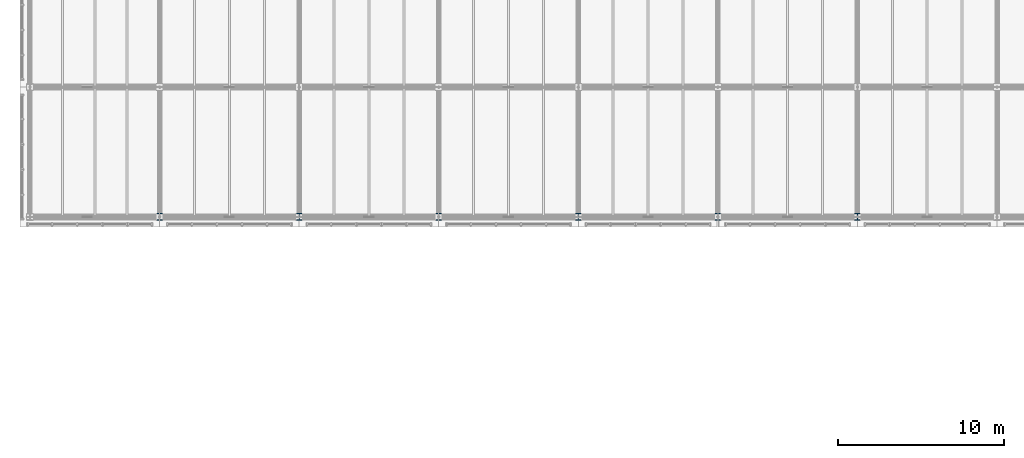
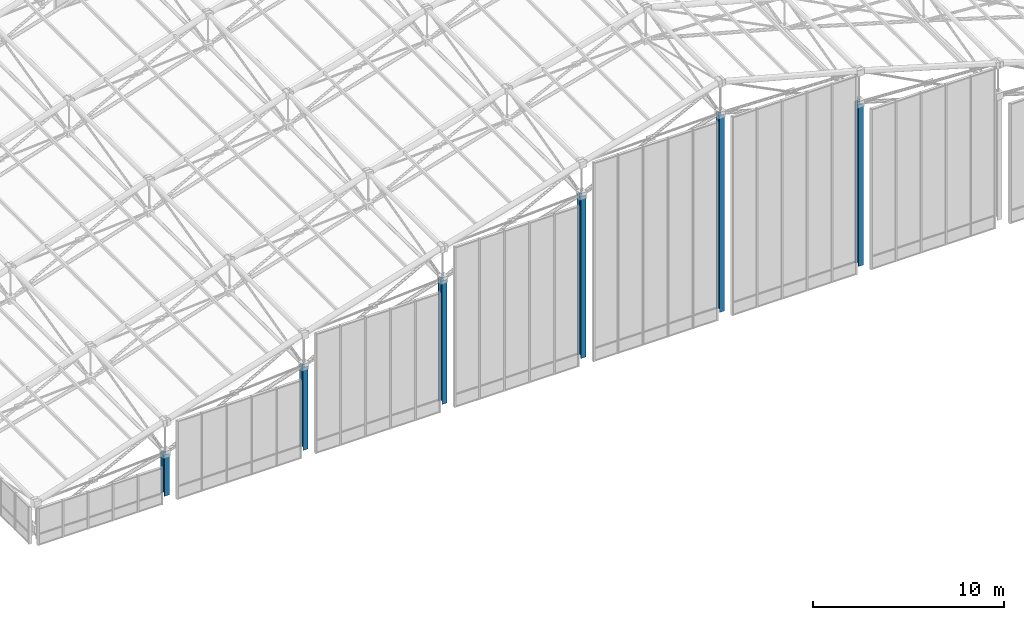
# One storey, part 2 of 144: 6 columns.
"""IFC4 building model written with IfcOpenShell, lengths in metres."""

from ifc_helpers import new_model, si_unit, direction, frame, origin, origin_2d, place, context, subcontext, project, spatial, i_section, extrude, material, material_profile, profile_set, type_object, element, save


model = new_model("IFC4")

# Units and contexts
model_context = context("Model", 3, precision=1e-05, world=origin(), true_north=direction((0.0, 1.0)))
body_context = subcontext(model_context, "Body", "Model", "MODEL_VIEW")
ifc_project = project(units=[si_unit("LENGTHUNIT", "METRE"), si_unit("AREAUNIT", "SQUARE_METRE"), si_unit("VOLUMEUNIT", "CUBIC_METRE"), si_unit("PLANEANGLEUNIT", "RADIAN"), si_unit("MASSUNIT", "GRAM", prefix="KILO")], contexts=[model_context])

# Site, building, storey
site_placement = place(None, origin())
site = spatial("IfcSite", under=ifc_project, at=site_placement, CompositionType="ELEMENT")
building_placement = place(site_placement, origin())
building = spatial("IfcBuilding", under=site, at=building_placement, Name="Zayran Congress Hotel", CompositionType="ELEMENT")
storey_placement = place(building_placement, frame((0.0, 0.0, 19.199951171875)))
storey = spatial("IfcBuildingStorey", under=building, at=storey_placement, Name="L04", CompositionType="ELEMENT", Elevation=19.199951171875)

# Columns
ifc_material = material(Name="Steel S355", Category="steel")
ifc_material_profile = material_profile(ifc_material, i_section(OverallWidth=0.300048828125, OverallDepth=0.39990234375, WebThickness=0.013427734375, FlangeThickness=0.02392578125, at=origin_2d()), Name="HEB 400")
ifc_profile_set = profile_set([ifc_material_profile], Name="Steel S355")
column_type = type_object("IfcColumnType", Name="TP-CL-07", PredefinedType="COLUMN", material=ifc_profile_set)
column_1_placement = place(storey_placement, frame((16.800048828125, 68.199951171875, 0.0), z_axis=(0.0, 0.0, 1.0), x_axis=(1.0, 0.0, 0.0)))
element("IfcColumn", 1, at=column_1_placement, inside=storey, type_object=column_type, Name="COL-V1-GAB-1409", PredefinedType="COLUMN", context=body_context, shape_type="SweptSolid", body=[
    extrude(i_section(OverallWidth=0.300048828125, OverallDepth=0.39990234375, WebThickness=0.013427734375, FlangeThickness=0.02392578125, at=origin_2d()), origin(), (0.0, 0.0, 1.0), 2.650146484375),
])
column_2_placement = place(storey_placement, frame((25.199951171875, 68.199951171875, 0.0), z_axis=(0.0, 0.0, 1.0), x_axis=(1.0, 0.0, 0.0)))
element("IfcColumn", 2, at=column_2_placement, inside=storey, type_object=column_type, Name="COL-V1-GAB-1411", PredefinedType="COLUMN", context=body_context, shape_type="SweptSolid", body=[
    extrude(i_section(OverallWidth=0.300048828125, OverallDepth=0.39990234375, WebThickness=0.013427734375, FlangeThickness=0.02392578125, at=origin_2d()), origin(), (0.0, 0.0, 1.0), 5.300048828125),
])
column_3_placement = place(storey_placement, frame((33.60009765625, 68.199951171875, 0.0), z_axis=(0.0, 0.0, 1.0), x_axis=(1.0, 0.0, 0.0)))
element("IfcColumn", 3, at=column_3_placement, inside=storey, type_object=column_type, Name="COL-V1-GAB-1413", PredefinedType="COLUMN", context=body_context, shape_type="SweptSolid", body=[
    extrude(i_section(OverallWidth=0.300048828125, OverallDepth=0.39990234375, WebThickness=0.013427734375, FlangeThickness=0.02392578125, at=origin_2d()), origin(), (0.0, 0.0, 1.0), 7.900146484375),
])
column_4_placement = place(storey_placement, frame((42.0, 68.199951171875, 0.0), z_axis=(0.0, 0.0, 1.0), x_axis=(1.0, 0.0, 0.0)))
element("IfcColumn", 4, at=column_4_placement, inside=storey, type_object=column_type, Name="COL-V1-GAB-1415", PredefinedType="COLUMN", context=body_context, shape_type="SweptSolid", body=[
    extrude(i_section(OverallWidth=0.300048828125, OverallDepth=0.39990234375, WebThickness=0.013427734375, FlangeThickness=0.02392578125, at=origin_2d()), origin(), (0.0, 0.0, 1.0), 10.35009765625),
])
column_5_placement = place(storey_placement, frame((50.39990234375, 68.199951171875, 0.0), z_axis=(0.0, 0.0, 1.0), x_axis=(1.0, 0.0, 0.0)))
element("IfcColumn", 5, at=column_5_placement, inside=storey, type_object=column_type, Name="COL-V1-GAB-1417", PredefinedType="COLUMN", context=body_context, shape_type="SweptSolid", body=[
    extrude(i_section(OverallWidth=0.300048828125, OverallDepth=0.39990234375, WebThickness=0.013427734375, FlangeThickness=0.02392578125, at=origin_2d()), origin(), (0.0, 0.0, 1.0), 12.60009765625),
])
column_6_placement = place(storey_placement, frame((58.800048828125, 68.199951171875, 0.0), z_axis=(0.0, 0.0, 1.0), x_axis=(1.0, 0.0, 0.0)))
element("IfcColumn", 6, at=column_6_placement, inside=storey, type_object=column_type, Name="COL-V1-GAB-1419", PredefinedType="COLUMN", context=body_context, shape_type="SweptSolid", body=[
    extrude(i_section(OverallWidth=0.300048828125, OverallDepth=0.39990234375, WebThickness=0.013427734375, FlangeThickness=0.02392578125, at=origin_2d()), origin(), (0.0, 0.0, 1.0), 10.35009765625),
])

save(model, "model.ifc")
